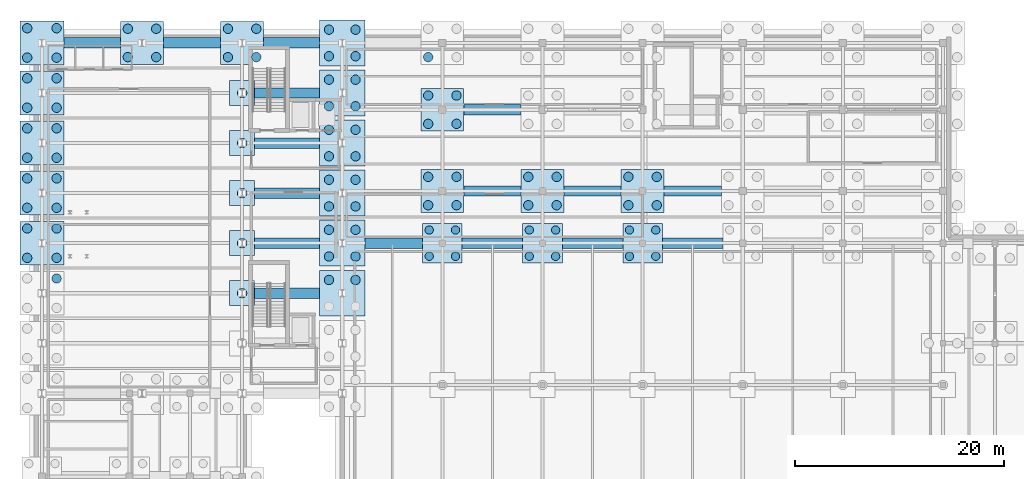
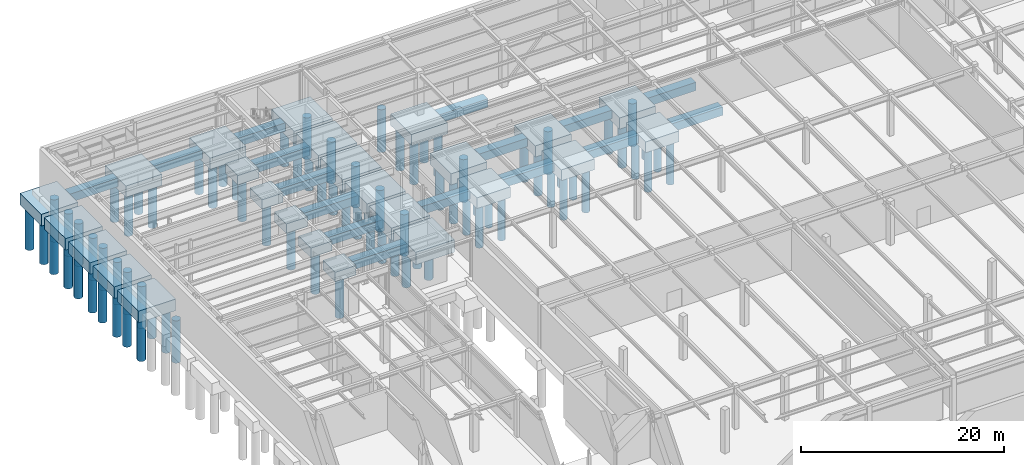
# One storey, part 4 of 33: 85 piles, 41 footings.
"""IFC4 building model written with IfcOpenShell, lengths in metres."""

from ifc_helpers import new_model, si_unit, direction, frame, origin, origin_2d, place, context, subcontext, project, spatial, polyline, rectangle, circle, outline, extrude, material, material_profile, profile_set, type_object, element, save


model = new_model("IFC4")

# Units and contexts
model_context = context("Model", 3, precision=1e-05, world=origin(), true_north=direction((0.0, 1.0)))
body_context = subcontext(model_context, "Body", "Model", "MODEL_VIEW")
ifc_project = project(units=[si_unit("LENGTHUNIT", "METRE"), si_unit("AREAUNIT", "SQUARE_METRE"), si_unit("VOLUMEUNIT", "CUBIC_METRE"), si_unit("PLANEANGLEUNIT", "RADIAN"), si_unit("MASSUNIT", "GRAM", prefix="KILO")], contexts=[model_context])

# Site, building, storey
site_placement = place(None, origin())
site = spatial("IfcSite", under=ifc_project, at=site_placement, CompositionType="ELEMENT")
building_placement = place(site_placement, origin())
building = spatial("IfcBuilding", under=site, at=building_placement, Name="Nordkorset Police Headquarters", CompositionType="ELEMENT")
storey_placement = place(building_placement, frame((0.0, 0.0, -9.800048828125)))
storey = spatial("IfcBuildingStorey", under=building, at=storey_placement, Name="B02", CompositionType="ELEMENT", Elevation=-9.800048828125)

# Piles
ifc_material_1 = material(Name="Concrete C45/55", Category="concrete")
ifc_material_profile_1 = material_profile(ifc_material_1, circle(Radius=0.39990234375, at=origin_2d()), Name="PILE D800")
ifc_profile_set_1 = profile_set([ifc_material_profile_1], Name="Concrete C45/55")
pile_type_1 = type_object("IfcPileType", Name="Bored_PILE_D800", PredefinedType="BORED", material=ifc_profile_set_1)
for number, where, z_axis, x_axis, name in (
    (1, (37.139892578125, 96.340087890625, -1.800048828125), (0.0, 0.0, -1.0), (1.0, 0.0, 0.0), "Rock-Socketed Bored Pile V2_Y0_0-1"),
    (2, (39.659912109375, 96.340087890625, -1.800048828125), (0.0, 0.0, -1.0), (1.0, 0.0, 0.0), "Rock-Socketed Bored Pile V2_Y0_0-2"),
    (3, (37.139892578125, 98.860107421875, -1.800048828125), (0.0, 0.0, -1.0), (1.0, 0.0, 0.0), "Rock-Socketed Bored Pile V2_Y0_0-3"),
    (4, (39.659912109375, 98.860107421875, -1.800048828125), (0.0, 0.0, -1.0), (1.0, 0.0, 0.0), "Rock-Socketed Bored Pile V2_Y0_0-4"),
    (5, (46.739990234375, 96.340087890625, -1.800048828125), (0.0, 0.0, -1.0), (1.0, 0.0, 0.0), "Rock-Socketed Bored Pile V2_Y0_1-1"),
    (6, (49.260009765625, 96.340087890625, -1.800048828125), (0.0, 0.0, -1.0), (1.0, 0.0, 0.0), "Rock-Socketed Bored Pile V2_Y0_1-2"),
    (7, (46.739990234375, 98.860107421875, -1.800048828125), (0.0, 0.0, -1.0), (1.0, 0.0, 0.0), "Rock-Socketed Bored Pile V2_Y0_1-3"),
    (8, (49.260009765625, 98.860107421875, -1.800048828125), (0.0, 0.0, -1.0), (1.0, 0.0, 0.0), "Rock-Socketed Bored Pile V2_Y0_1-4"),
    (9, (56.340087890625, 96.340087890625, -1.800048828125), (0.0, 0.0, -1.0), (1.0, 0.0, 0.0), "Rock-Socketed Bored Pile V2_Y0_2-1"),
    (10, (58.860107421875, 96.340087890625, -1.800048828125), (0.0, 0.0, -1.0), (1.0, 0.0, 0.0), "Rock-Socketed Bored Pile V2_Y0_2-2"),
    (11, (56.340087890625, 98.860107421875, -1.800048828125), (0.0, 0.0, -1.0), (1.0, 0.0, 0.0), "Rock-Socketed Bored Pile V2_Y0_2-3"),
    (12, (58.860107421875, 98.860107421875, -1.800048828125), (0.0, 0.0, -1.0), (1.0, 0.0, 0.0), "Rock-Socketed Bored Pile V2_Y0_2-4"),
):
    element("IfcPile", number, at=place(storey_placement, frame(where, z_axis=z_axis, x_axis=x_axis)), inside=storey, type_object=pile_type_1, Name=name, PredefinedType="BORED", context=body_context, shape_type="SweptSolid", body=[
        extrude(circle(Radius=0.39990234375, at=origin_2d()), origin(), (0.0, 0.0, 1.0), 5.199951171875),
    ])
ifc_material_2 = material(Name="Concrete C45/55", Category="concrete")
ifc_material_profile_2 = material_profile(ifc_material_2, circle(Radius=0.449951171875, at=origin_2d()), Name="PILE D900")
ifc_profile_set_2 = profile_set([ifc_material_profile_2], Name="Concrete C45/55")
pile_type_2 = type_object("IfcPileType", Name="Bored_PILE_D900", PredefinedType="BORED", material=ifc_profile_set_2)
pile_placement = place(storey_placement, frame((1.409912109375, 94.2099609375, -1.89990234375), z_axis=(0.0, 0.0, -1.0), x_axis=(1.0, 0.0, 0.0)))
element("IfcPile", 13, at=pile_placement, inside=storey, type_object=pile_type_2, Name="Rock-Socketed Bored Pile V1_W_2-4", PredefinedType="BORED", context=body_context, shape_type="SweptSolid", body=[
    extrude(circle(Radius=0.449951171875, at=origin_2d()), origin(), (0.0, 0.0, 1.0), 5.10009765625),
])
for number, where, z_axis, x_axis, name in (
    (14, (27.52490234375, 94.074951171875, -2.0), (0.0, 0.0, -1.0), (1.0, 0.0, 0.0), "Rock-Socketed Bored Pile V1_E_2-3"),
    (15, (30.074951171875, 94.074951171875, -2.0), (0.0, 0.0, -1.0), (1.0, 0.0, 0.0), "Rock-Socketed Bored Pile V1_E_2-4"),
):
    element("IfcPile", number, at=place(storey_placement, frame(where, z_axis=z_axis, x_axis=x_axis)), inside=storey, type_object=pile_type_2, Name=name, PredefinedType="BORED", context=body_context, shape_type="SweptSolid", body=[
        extrude(circle(Radius=0.449951171875, at=origin_2d()), origin(), (0.0, 0.0, 1.0), 5.0),
    ])
for number, where, z_axis, x_axis, name in (
    (16, (-1.409912109375, 96.18994140625, -1.89990234375), (0.0, 0.0, -1.0), (1.0, 0.0, 0.0), "Rock-Socketed Bored Pile V1_W_3-1"),
    (17, (1.409912109375, 96.18994140625, -1.89990234375), (0.0, 0.0, -1.0), (1.0, 0.0, 0.0), "Rock-Socketed Bored Pile V1_W_3-2"),
    (18, (-1.409912109375, 99.010009765625, -1.89990234375), (0.0, 0.0, -1.0), (1.0, 0.0, 0.0), "Rock-Socketed Bored Pile V1_W_3-3"),
    (19, (1.409912109375, 99.010009765625, -1.89990234375), (0.0, 0.0, -1.0), (1.0, 0.0, 0.0), "Rock-Socketed Bored Pile V1_W_3-4"),
):
    element("IfcPile", number, at=place(storey_placement, frame(where, z_axis=z_axis, x_axis=x_axis)), inside=storey, type_object=pile_type_2, Name=name, PredefinedType="BORED", context=body_context, shape_type="SweptSolid", body=[
        extrude(circle(Radius=0.449951171875, at=origin_2d()), origin(), (0.0, 0.0, 1.0), 5.10009765625),
    ])
for number, where, z_axis, x_axis, name in (
    (20, (27.52490234375, 96.324951171875, -2.0), (0.0, 0.0, -1.0), (1.0, 0.0, 0.0), "Rock-Socketed Bored Pile V1_E_3-1"),
    (21, (30.074951171875, 96.324951171875, -2.0), (0.0, 0.0, -1.0), (1.0, 0.0, 0.0), "Rock-Socketed Bored Pile V1_E_3-2"),
    (22, (27.52490234375, 98.875, -2.0), (0.0, 0.0, -1.0), (1.0, 0.0, 0.0), "Rock-Socketed Bored Pile V1_E_3-3"),
    (23, (30.074951171875, 98.875, -2.0), (0.0, 0.0, -1.0), (1.0, 0.0, 0.0), "Rock-Socketed Bored Pile V1_E_3-4"),
):
    element("IfcPile", number, at=place(storey_placement, frame(where, z_axis=z_axis, x_axis=x_axis)), inside=storey, type_object=pile_type_2, Name=name, PredefinedType="BORED", context=body_context, shape_type="SweptSolid", body=[
        extrude(circle(Radius=0.449951171875, at=origin_2d()), origin(), (0.0, 0.0, 1.0), 5.0),
    ])
for number, where, z_axis, x_axis, name in (
    (24, (-1.409912109375, 100.989990234375, -1.89990234375), (0.0, 0.0, -1.0), (1.0, 0.0, 0.0), "Rock-Socketed Bored Pile V1_W_4-1"),
    (25, (1.409912109375, 100.989990234375, -1.89990234375), (0.0, 0.0, -1.0), (1.0, 0.0, 0.0), "Rock-Socketed Bored Pile V1_W_4-2"),
    (26, (-1.409912109375, 103.81005859375, -1.89990234375), (0.0, 0.0, -1.0), (1.0, 0.0, 0.0), "Rock-Socketed Bored Pile V1_W_4-3"),
    (27, (1.409912109375, 103.81005859375, -1.89990234375), (0.0, 0.0, -1.0), (1.0, 0.0, 0.0), "Rock-Socketed Bored Pile V1_W_4-4"),
):
    element("IfcPile", number, at=place(storey_placement, frame(where, z_axis=z_axis, x_axis=x_axis)), inside=storey, type_object=pile_type_2, Name=name, PredefinedType="BORED", context=body_context, shape_type="SweptSolid", body=[
        extrude(circle(Radius=0.449951171875, at=origin_2d()), origin(), (0.0, 0.0, 1.0), 5.10009765625),
    ])
for number, where, z_axis, x_axis, name in (
    (28, (27.52490234375, 101.125, -2.0), (0.0, 0.0, -1.0), (1.0, 0.0, 0.0), "Rock-Socketed Bored Pile V1_E_4-1"),
    (29, (30.074951171875, 101.125, -2.0), (0.0, 0.0, -1.0), (1.0, 0.0, 0.0), "Rock-Socketed Bored Pile V1_E_4-2"),
    (30, (27.52490234375, 103.675048828125, -2.0), (0.0, 0.0, -1.0), (1.0, 0.0, 0.0), "Rock-Socketed Bored Pile V1_E_4-3"),
    (31, (30.074951171875, 103.675048828125, -2.0), (0.0, 0.0, -1.0), (1.0, 0.0, 0.0), "Rock-Socketed Bored Pile V1_E_4-4"),
):
    element("IfcPile", number, at=place(storey_placement, frame(where, z_axis=z_axis, x_axis=x_axis)), inside=storey, type_object=pile_type_2, Name=name, PredefinedType="BORED", context=body_context, shape_type="SweptSolid", body=[
        extrude(circle(Radius=0.449951171875, at=origin_2d()), origin(), (0.0, 0.0, 1.0), 5.0),
    ])
for number, where, z_axis, x_axis, name in (
    (32, (-1.409912109375, 105.7900390625, -1.89990234375), (0.0, 0.0, -1.0), (1.0, 0.0, 0.0), "Rock-Socketed Bored Pile V1_W_5-1"),
    (33, (1.409912109375, 105.7900390625, -1.89990234375), (0.0, 0.0, -1.0), (1.0, 0.0, 0.0), "Rock-Socketed Bored Pile V1_W_5-2"),
    (34, (-1.409912109375, 108.610107421875, -1.89990234375), (0.0, 0.0, -1.0), (1.0, 0.0, 0.0), "Rock-Socketed Bored Pile V1_W_5-3"),
    (35, (1.409912109375, 108.610107421875, -1.89990234375), (0.0, 0.0, -1.0), (1.0, 0.0, 0.0), "Rock-Socketed Bored Pile V1_W_5-4"),
):
    element("IfcPile", number, at=place(storey_placement, frame(where, z_axis=z_axis, x_axis=x_axis)), inside=storey, type_object=pile_type_2, Name=name, PredefinedType="BORED", context=body_context, shape_type="SweptSolid", body=[
        extrude(circle(Radius=0.449951171875, at=origin_2d()), origin(), (0.0, 0.0, 1.0), 5.10009765625),
    ])
for number, where, z_axis, x_axis, name in (
    (36, (27.52490234375, 105.925048828125, -2.0), (0.0, 0.0, -1.0), (1.0, 0.0, 0.0), "Rock-Socketed Bored Pile V1_E_5-1"),
    (37, (30.074951171875, 105.925048828125, -2.0), (0.0, 0.0, -1.0), (1.0, 0.0, 0.0), "Rock-Socketed Bored Pile V1_E_5-2"),
    (38, (27.52490234375, 108.47509765625, -2.0), (0.0, 0.0, -1.0), (1.0, 0.0, 0.0), "Rock-Socketed Bored Pile V1_E_5-3"),
    (39, (30.074951171875, 108.47509765625, -2.0), (0.0, 0.0, -1.0), (1.0, 0.0, 0.0), "Rock-Socketed Bored Pile V1_E_5-4"),
):
    element("IfcPile", number, at=place(storey_placement, frame(where, z_axis=z_axis, x_axis=x_axis)), inside=storey, type_object=pile_type_2, Name=name, PredefinedType="BORED", context=body_context, shape_type="SweptSolid", body=[
        extrude(circle(Radius=0.449951171875, at=origin_2d()), origin(), (0.0, 0.0, 1.0), 5.0),
    ])
for number, where, z_axis, x_axis, name in (
    (40, (-1.409912109375, 110.590087890625, -1.89990234375), (0.0, 0.0, -1.0), (1.0, 0.0, 0.0), "Rock-Socketed Bored Pile V1_W_6-1"),
    (41, (1.409912109375, 110.590087890625, -1.89990234375), (0.0, 0.0, -1.0), (1.0, 0.0, 0.0), "Rock-Socketed Bored Pile V1_W_6-2"),
    (42, (-1.409912109375, 113.409912109375, -1.89990234375), (0.0, 0.0, -1.0), (1.0, 0.0, 0.0), "Rock-Socketed Bored Pile V1_W_6-3"),
    (43, (1.409912109375, 113.409912109375, -1.89990234375), (0.0, 0.0, -1.0), (1.0, 0.0, 0.0), "Rock-Socketed Bored Pile V1_W_6-4"),
):
    element("IfcPile", number, at=place(storey_placement, frame(where, z_axis=z_axis, x_axis=x_axis)), inside=storey, type_object=pile_type_2, Name=name, PredefinedType="BORED", context=body_context, shape_type="SweptSolid", body=[
        extrude(circle(Radius=0.449951171875, at=origin_2d()), origin(), (0.0, 0.0, 1.0), 5.10009765625),
    ])
for number, where, z_axis, x_axis, name in (
    (44, (27.52490234375, 110.72509765625, -2.0), (0.0, 0.0, -1.0), (1.0, 0.0, 0.0), "Rock-Socketed Bored Pile V1_E_6-1"),
    (45, (30.074951171875, 110.72509765625, -2.0), (0.0, 0.0, -1.0), (1.0, 0.0, 0.0), "Rock-Socketed Bored Pile V1_E_6-2"),
    (46, (27.52490234375, 113.27490234375, -2.0), (0.0, 0.0, -1.0), (1.0, 0.0, 0.0), "Rock-Socketed Bored Pile V1_E_6-3"),
    (47, (30.074951171875, 113.27490234375, -2.0), (0.0, 0.0, -1.0), (1.0, 0.0, 0.0), "Rock-Socketed Bored Pile V1_E_6-4"),
):
    element("IfcPile", number, at=place(storey_placement, frame(where, z_axis=z_axis, x_axis=x_axis)), inside=storey, type_object=pile_type_2, Name=name, PredefinedType="BORED", context=body_context, shape_type="SweptSolid", body=[
        extrude(circle(Radius=0.449951171875, at=origin_2d()), origin(), (0.0, 0.0, 1.0), 5.0),
    ])
for number, where, z_axis, x_axis, name in (
    (48, (-1.409912109375, 115.389892578125, -1.89990234375), (0.0, 0.0, -1.0), (1.0, 0.0, 0.0), "Rock-Socketed Bored Pile V1_W_7-1"),
    (49, (1.409912109375, 115.389892578125, -1.89990234375), (0.0, 0.0, -1.0), (1.0, 0.0, 0.0), "Rock-Socketed Bored Pile V1_W_7-2"),
    (50, (-1.409912109375, 118.2099609375, -1.89990234375), (0.0, 0.0, -1.0), (1.0, 0.0, 0.0), "Rock-Socketed Bored Pile V1_W_7-3"),
    (51, (1.409912109375, 118.2099609375, -1.89990234375), (0.0, 0.0, -1.0), (1.0, 0.0, 0.0), "Rock-Socketed Bored Pile V1_W_7-4"),
):
    element("IfcPile", number, at=place(storey_placement, frame(where, z_axis=z_axis, x_axis=x_axis)), inside=storey, type_object=pile_type_2, Name=name, PredefinedType="BORED", context=body_context, shape_type="SweptSolid", body=[
        extrude(circle(Radius=0.449951171875, at=origin_2d()), origin(), (0.0, 0.0, 1.0), 5.10009765625),
    ])
for number, where, z_axis, x_axis, name in (
    (52, (27.52490234375, 115.52490234375, -2.0), (0.0, 0.0, -1.0), (1.0, 0.0, 0.0), "Rock-Socketed Bored Pile V1_E_7-1"),
    (53, (30.074951171875, 115.52490234375, -2.0), (0.0, 0.0, -1.0), (1.0, 0.0, 0.0), "Rock-Socketed Bored Pile V1_E_7-2"),
    (54, (27.52490234375, 118.074951171875, -2.0), (0.0, 0.0, -1.0), (1.0, 0.0, 0.0), "Rock-Socketed Bored Pile V1_E_7-3"),
    (55, (30.074951171875, 118.074951171875, -2.0), (0.0, 0.0, -1.0), (1.0, 0.0, 0.0), "Rock-Socketed Bored Pile V1_E_7-4"),
):
    element("IfcPile", number, at=place(storey_placement, frame(where, z_axis=z_axis, x_axis=x_axis)), inside=storey, type_object=pile_type_2, Name=name, PredefinedType="BORED", context=body_context, shape_type="SweptSolid", body=[
        extrude(circle(Radius=0.449951171875, at=origin_2d()), origin(), (0.0, 0.0, 1.0), 5.0),
    ])
for number, where, z_axis, x_axis, name in (
    (56, (8.239990234375, 115.43994140625, -1.849853515625), (0.0, 0.0, -1.0), (1.0, 0.0, 0.0), "Rock-Socketed Bored Pile V1_N_0-1"),
    (57, (10.9599609375, 115.43994140625, -1.849853515625), (0.0, 0.0, -1.0), (1.0, 0.0, 0.0), "Rock-Socketed Bored Pile V1_N_0-2"),
    (58, (8.239990234375, 118.159912109375, -1.849853515625), (0.0, 0.0, -1.0), (1.0, 0.0, 0.0), "Rock-Socketed Bored Pile V1_N_0-3"),
    (59, (10.9599609375, 118.159912109375, -1.849853515625), (0.0, 0.0, -1.0), (1.0, 0.0, 0.0), "Rock-Socketed Bored Pile V1_N_0-4"),
    (60, (17.840087890625, 115.43994140625, -1.849853515625), (0.0, 0.0, -1.0), (1.0, 0.0, 0.0), "Rock-Socketed Bored Pile V1_N_1-1"),
    (61, (20.56005859375, 115.43994140625, -1.849853515625), (0.0, 0.0, -1.0), (1.0, 0.0, 0.0), "Rock-Socketed Bored Pile V1_N_1-2"),
    (62, (17.840087890625, 118.159912109375, -1.849853515625), (0.0, 0.0, -1.0), (1.0, 0.0, 0.0), "Rock-Socketed Bored Pile V1_N_1-3"),
    (63, (20.56005859375, 118.159912109375, -1.849853515625), (0.0, 0.0, -1.0), (1.0, 0.0, 0.0), "Rock-Socketed Bored Pile V1_N_1-4"),
):
    element("IfcPile", number, at=place(storey_placement, frame(where, z_axis=z_axis, x_axis=x_axis)), inside=storey, type_object=pile_type_2, Name=name, PredefinedType="BORED", context=body_context, shape_type="SweptSolid", body=[
        extrude(circle(Radius=0.449951171875, at=origin_2d()), origin(), (0.0, 0.0, 1.0), 5.14990234375),
    ])
for number, where, z_axis, x_axis, name in (
    (64, (19.199951171875, 92.800048828125, -1.64990234375), (0.0, 0.0, -1.0), (1.0, 0.0, 0.0), "Rock-Socketed Bored Pile V1_CW_1-1"),
    (65, (19.199951171875, 97.60009765625, -1.64990234375), (0.0, 0.0, -1.0), (1.0, 0.0, 0.0), "Rock-Socketed Bored Pile V1_CW_2-1"),
    (66, (19.199951171875, 102.39990234375, -1.64990234375), (0.0, 0.0, -1.0), (1.0, 0.0, 0.0), "Rock-Socketed Bored Pile V1_CW_3-1"),
    (67, (19.199951171875, 107.199951171875, -1.64990234375), (0.0, 0.0, -1.0), (1.0, 0.0, 0.0), "Rock-Socketed Bored Pile V1_CW_4-1"),
    (68, (19.199951171875, 112.0, -1.64990234375), (0.0, 0.0, -1.0), (1.0, 0.0, 0.0), "Rock-Socketed Bored Pile V1_CW_5-1"),
):
    element("IfcPile", number, at=place(storey_placement, frame(where, z_axis=z_axis, x_axis=x_axis)), inside=storey, type_object=pile_type_2, Name=name, PredefinedType="BORED", context=body_context, shape_type="SweptSolid", body=[
        extrude(circle(Radius=0.449951171875, at=origin_2d()), origin(), (0.0, 0.0, 1.0), 5.35009765625),
    ])
for number, where, z_axis, x_axis, name in (
    (69, (37.0400390625, 101.239990234375, -1.849853515625), (0.0, 0.0, -1.0), (1.0, 0.0, 0.0), "Rock-Socketed Bored Pile V2_Y1_0-1"),
    (70, (39.760009765625, 101.239990234375, -1.849853515625), (0.0, 0.0, -1.0), (1.0, 0.0, 0.0), "Rock-Socketed Bored Pile V2_Y1_0-2"),
    (71, (37.0400390625, 103.9599609375, -1.849853515625), (0.0, 0.0, -1.0), (1.0, 0.0, 0.0), "Rock-Socketed Bored Pile V2_Y1_0-3"),
    (72, (39.760009765625, 103.9599609375, -1.849853515625), (0.0, 0.0, -1.0), (1.0, 0.0, 0.0), "Rock-Socketed Bored Pile V2_Y1_0-4"),
    (73, (37.0400390625, 109.0400390625, -1.849853515625), (0.0, 0.0, -1.0), (1.0, 0.0, 0.0), "Rock-Socketed Bored Pile V2_Y2_0-1"),
    (74, (39.760009765625, 109.0400390625, -1.849853515625), (0.0, 0.0, -1.0), (1.0, 0.0, 0.0), "Rock-Socketed Bored Pile V2_Y2_0-2"),
    (75, (37.0400390625, 111.760009765625, -1.849853515625), (0.0, 0.0, -1.0), (1.0, 0.0, 0.0), "Rock-Socketed Bored Pile V2_Y2_0-3"),
    (76, (39.760009765625, 111.760009765625, -1.849853515625), (0.0, 0.0, -1.0), (1.0, 0.0, 0.0), "Rock-Socketed Bored Pile V2_Y2_0-4"),
    (77, (37.0400390625, 115.43994140625, -1.849853515625), (0.0, 0.0, -1.0), (1.0, 0.0, 0.0), "Rock-Socketed Bored Pile V2_Y3_0-1"),
    (78, (46.639892578125, 101.239990234375, -1.849853515625), (0.0, 0.0, -1.0), (1.0, 0.0, 0.0), "Rock-Socketed Bored Pile V2_Y1_1-1"),
    (79, (49.360107421875, 101.239990234375, -1.849853515625), (0.0, 0.0, -1.0), (1.0, 0.0, 0.0), "Rock-Socketed Bored Pile V2_Y1_1-2"),
    (80, (46.639892578125, 103.9599609375, -1.849853515625), (0.0, 0.0, -1.0), (1.0, 0.0, 0.0), "Rock-Socketed Bored Pile V2_Y1_1-3"),
    (81, (49.360107421875, 103.9599609375, -1.849853515625), (0.0, 0.0, -1.0), (1.0, 0.0, 0.0), "Rock-Socketed Bored Pile V2_Y1_1-4"),
    (82, (56.239990234375, 101.239990234375, -1.849853515625), (0.0, 0.0, -1.0), (1.0, 0.0, 0.0), "Rock-Socketed Bored Pile V2_Y1_2-1"),
    (83, (58.9599609375, 101.239990234375, -1.849853515625), (0.0, 0.0, -1.0), (1.0, 0.0, 0.0), "Rock-Socketed Bored Pile V2_Y1_2-2"),
    (84, (56.239990234375, 103.9599609375, -1.849853515625), (0.0, 0.0, -1.0), (1.0, 0.0, 0.0), "Rock-Socketed Bored Pile V2_Y1_2-3"),
    (85, (58.9599609375, 103.9599609375, -1.849853515625), (0.0, 0.0, -1.0), (1.0, 0.0, 0.0), "Rock-Socketed Bored Pile V2_Y1_2-4"),
):
    element("IfcPile", number, at=place(storey_placement, frame(where, z_axis=z_axis, x_axis=x_axis)), inside=storey, type_object=pile_type_2, Name=name, PredefinedType="BORED", context=body_context, shape_type="SweptSolid", body=[
        extrude(circle(Radius=0.449951171875, at=origin_2d()), origin(), (0.0, 0.0, 1.0), 5.14990234375),
    ])

# Footings
ifc_material_3 = material(Name="Concrete C35/45", Category="concrete")
footing_type_1 = type_object("IfcFootingType", Name="Cap_2400x2400x1150", PredefinedType="PILE_CAP", material=ifc_material_3)
for number, where, z_axis, x_axis, name in (
    (86, (19.199951171875, 92.800048828125, -1.75), (0.0, 0.0, 1.0), (1.0, 0.0, 0.0), "Reinforced Concrete Pile Cap V1_CW_1"),
    (87, (19.199951171875, 97.60009765625, -1.75), (0.0, 0.0, 1.0), (1.0, 0.0, 0.0), "Reinforced Concrete Pile Cap V1_CW_2"),
    (88, (19.199951171875, 102.39990234375, -1.75), (0.0, 0.0, 1.0), (1.0, 0.0, 0.0), "Reinforced Concrete Pile Cap V1_CW_3"),
    (89, (19.199951171875, 107.199951171875, -1.75), (0.0, 0.0, 1.0), (1.0, 0.0, 0.0), "Reinforced Concrete Pile Cap V1_CW_4"),
    (90, (19.199951171875, 112.0, -1.75), (0.0, 0.0, 1.0), (1.0, 0.0, 0.0), "Reinforced Concrete Pile Cap V1_CW_5"),
):
    element("IfcFooting", number, at=place(storey_placement, frame(where, z_axis=z_axis, x_axis=x_axis)), inside=storey, type_object=footing_type_1, Name=name, PredefinedType="PILE_CAP", context=body_context, shape_type="SweptSolid", body=[
        extrude(rectangle(XDim=2.39990234375, YDim=2.39990234375, at=origin_2d()), origin(), (0.0, 0.0, 1.0), 1.14990234375),
    ])
ifc_material_4 = material(Name="Concrete C35/45", Category="concrete")
footing_type_2 = type_object("IfcFootingType", Name="Cap_3800x3800x1300", PredefinedType="PILE_CAP", material=ifc_material_4)
for number, where, z_axis, x_axis, name in (
    (91, (38.39990234375, 97.60009765625, -1.89990234375), (0.0, 0.0, 1.0), (1.0, 0.0, 0.0), "Reinforced Concrete Pile Cap V2_Y0_0"),
    (92, (48.0, 97.60009765625, -1.89990234375), (0.0, 0.0, 1.0), (1.0, 0.0, 0.0), "Reinforced Concrete Pile Cap V2_Y0_1"),
    (93, (57.60009765625, 97.60009765625, -1.89990234375), (0.0, 0.0, 1.0), (1.0, 0.0, 0.0), "Reinforced Concrete Pile Cap V2_Y0_2"),
):
    element("IfcFooting", number, at=place(storey_placement, frame(where, z_axis=z_axis, x_axis=x_axis)), inside=storey, type_object=footing_type_2, Name=name, PredefinedType="PILE_CAP", context=body_context, shape_type="SweptSolid", body=[
        extrude(rectangle(XDim=3.800048828125, YDim=3.800048828125, at=origin_2d()), origin(), (0.0, 0.0, 1.0), 1.300048828125),
    ])
ifc_material_5 = material(Name="Concrete C35/45", Category="concrete")
footing_type_3 = type_object("IfcFootingType", Name="Cap_3900x3900x1350", PredefinedType="PILE_CAP", material=ifc_material_5)
for number, where, z_axis, x_axis, name in (
    (94, (9.60009765625, 116.800048828125, -1.949951171875), (0.0, 0.0, 1.0), (1.0, 0.0, 0.0), "Reinforced Concrete Pile Cap V1_N_0"),
    (95, (19.199951171875, 116.800048828125, -1.949951171875), (0.0, 0.0, 1.0), (1.0, 0.0, 0.0), "Reinforced Concrete Pile Cap V1_N_1"),
    (96, (38.39990234375, 102.60009765625, -1.949951171875), (0.0, 0.0, 1.0), (1.0, 0.0, 0.0), "Reinforced Concrete Pile Cap V2_Y1_0"),
    (97, (38.39990234375, 110.39990234375, -1.949951171875), (0.0, 0.0, 1.0), (1.0, 0.0, 0.0), "Reinforced Concrete Pile Cap V2_Y2_0"),
    (98, (48.0, 102.60009765625, -1.949951171875), (0.0, 0.0, 1.0), (1.0, 0.0, 0.0), "Reinforced Concrete Pile Cap V2_Y1_1"),
    (99, (57.60009765625, 102.60009765625, -1.949951171875), (0.0, 0.0, 1.0), (1.0, 0.0, 0.0), "Reinforced Concrete Pile Cap V2_Y1_2"),
):
    element("IfcFooting", number, at=place(storey_placement, frame(where, z_axis=z_axis, x_axis=x_axis)), inside=storey, type_object=footing_type_3, Name=name, PredefinedType="PILE_CAP", context=body_context, shape_type="SweptSolid", body=[
        extrude(rectangle(XDim=4.10009765625, YDim=4.10009765625, at=origin_2d()), origin(), (0.0, 0.0, 1.0), 1.35009765625),
    ])
ifc_material_6 = material(Name="Concrete C35/45", Category="concrete")
footing_type_4 = type_object("IfcFootingType", Name="Cap_4200x4200x1400", PredefinedType="PILE_CAP", material=ifc_material_6)
for number, where, z_axis, x_axis, name in (
    (100, (0.0, 97.60009765625, -2.0), (0.0, 0.0, 1.0), (1.0, 0.0, 0.0), "Reinforced Concrete Pile Cap V1_W_3"),
    (101, (0.0, 102.39990234375, -2.0), (0.0, 0.0, 1.0), (1.0, 0.0, 0.0), "Reinforced Concrete Pile Cap V1_W_4"),
    (102, (0.0, 107.199951171875, -2.0), (0.0, 0.0, 1.0), (1.0, 0.0, 0.0), "Reinforced Concrete Pile Cap V1_W_5"),
    (103, (0.0, 112.0, -2.0), (0.0, 0.0, 1.0), (1.0, 0.0, 0.0), "Reinforced Concrete Pile Cap V1_W_6"),
    (104, (0.0, 116.800048828125, -2.0), (0.0, 0.0, 1.0), (1.0, 0.0, 0.0), "Reinforced Concrete Pile Cap V1_W_7"),
):
    element("IfcFooting", number, at=place(storey_placement, frame(where, z_axis=z_axis, x_axis=x_axis)), inside=storey, type_object=footing_type_4, Name=name, PredefinedType="PILE_CAP", context=body_context, shape_type="SweptSolid", body=[
        extrude(rectangle(XDim=4.199951171875, YDim=4.199951171875, at=origin_2d()), origin(), (0.0, 0.0, 1.0), 1.39990234375),
    ])
ifc_material_7 = material(Name="Concrete C35/45", Category="concrete")
footing_type_5 = type_object("IfcFootingType", Name="Cap_4400x4400x1500", PredefinedType="PILE_CAP", material=ifc_material_7)
for number, where, z_axis, x_axis, name in (
    (105, (28.800048828125, 92.800048828125, -2.099853515625), (0.0, 0.0, 1.0), (1.0, 0.0, 0.0), "Reinforced Concrete Pile Cap V1_E_2"),
    (106, (28.800048828125, 97.60009765625, -2.099853515625), (0.0, 0.0, 1.0), (1.0, 0.0, 0.0), "Reinforced Concrete Pile Cap V1_E_3"),
    (107, (28.800048828125, 102.39990234375, -2.099853515625), (0.0, 0.0, 1.0), (1.0, 0.0, 0.0), "Reinforced Concrete Pile Cap V1_E_4"),
    (108, (28.800048828125, 107.199951171875, -2.099853515625), (0.0, 0.0, 1.0), (1.0, 0.0, 0.0), "Reinforced Concrete Pile Cap V1_E_5"),
    (109, (28.800048828125, 112.0, -2.099853515625), (0.0, 0.0, 1.0), (1.0, 0.0, 0.0), "Reinforced Concrete Pile Cap V1_E_6"),
    (110, (28.800048828125, 116.800048828125, -2.099853515625), (0.0, 0.0, 1.0), (1.0, 0.0, 0.0), "Reinforced Concrete Pile Cap V1_E_7"),
):
    element("IfcFooting", number, at=place(storey_placement, frame(where, z_axis=z_axis, x_axis=x_axis)), inside=storey, type_object=footing_type_5, Name=name, PredefinedType="PILE_CAP", context=body_context, shape_type="SweptSolid", body=[
        extrude(rectangle(XDim=4.39990234375, YDim=4.39990234375, at=origin_2d()), origin(), (0.0, 0.0, 1.0), 1.5),
    ])
ifc_material_8 = material(Name="Concrete C35/45", Category="concrete")
footing_type_6 = type_object("IfcFootingType", Name="Strip_1000x1000", PredefinedType="STRIP_FOOTING", material=ifc_material_8)
footing_1_placement = place(storey_placement, frame((0.0, 0.0, -1.599853515625)))
element("IfcFooting", 111, at=footing_1_placement, inside=storey, type_object=footing_type_6, Name="Foundation Tie Strip Footing X-099", PredefinedType="STRIP_FOOTING", context=body_context, shape_type="SweptSolid", body=[
    extrude(outline(polyline([(20.403076171875, 92.300048828125), (26.596923828125, 92.300048828125), (26.596923828125, 93.300048828125), (20.403076171875, 93.300048828125), (20.403076171875, 92.300048828125)])), origin(), (0.0, 0.0, 1.0), 1.0),
])
footing_2_placement = place(storey_placement, frame((0.0, 0.0, -1.599853515625)))
element("IfcFooting", 112, at=footing_2_placement, inside=storey, type_object=footing_type_6, Name="Foundation Tie Strip Footing X-100", PredefinedType="STRIP_FOOTING", context=body_context, shape_type="SweptSolid", body=[
    extrude(outline(polyline([(20.403076171875, 97.10009765625), (26.596923828125, 97.10009765625), (26.596923828125, 98.10009765625), (20.403076171875, 98.10009765625), (20.403076171875, 97.10009765625)])), origin(), (0.0, 0.0, 1.0), 1.0),
])
footing_3_placement = place(storey_placement, frame((0.0, 0.0, -1.599853515625)))
element("IfcFooting", 113, at=footing_3_placement, inside=storey, type_object=footing_type_6, Name="Foundation Tie Strip Footing X-101", PredefinedType="STRIP_FOOTING", context=body_context, shape_type="SweptSolid", body=[
    extrude(outline(polyline([(31.0029296875, 97.10009765625), (36.4970703125, 97.10009765625), (36.4970703125, 98.10009765625), (31.0029296875, 98.10009765625), (31.0029296875, 97.10009765625)])), origin(), (0.0, 0.0, 1.0), 1.0),
])
footing_4_placement = place(storey_placement, frame((0.0, 0.0, -1.599853515625)))
element("IfcFooting", 114, at=footing_4_placement, inside=storey, type_object=footing_type_6, Name="Foundation Tie Strip Footing X-102", PredefinedType="STRIP_FOOTING", context=body_context, shape_type="SweptSolid", body=[
    extrude(outline(polyline([(40.302978515625, 97.10009765625), (46.096923828125, 97.10009765625), (46.096923828125, 98.10009765625), (40.302978515625, 98.10009765625), (40.302978515625, 97.10009765625)])), origin(), (0.0, 0.0, 1.0), 1.0),
])
footing_5_placement = place(storey_placement, frame((0.0, 0.0, -1.599853515625)))
element("IfcFooting", 115, at=footing_5_placement, inside=storey, type_object=footing_type_6, Name="Foundation Tie Strip Footing X-103", PredefinedType="STRIP_FOOTING", context=body_context, shape_type="SweptSolid", body=[
    extrude(outline(polyline([(49.903076171875, 97.10009765625), (55.697021484375, 97.10009765625), (55.697021484375, 98.10009765625), (49.903076171875, 98.10009765625), (49.903076171875, 97.10009765625)])), origin(), (0.0, 0.0, 1.0), 1.0),
])
footing_6_placement = place(storey_placement, frame((0.0, 0.0, -1.599853515625)))
element("IfcFooting", 116, at=footing_6_placement, inside=storey, type_object=footing_type_6, Name="Foundation Tie Strip Footing X-104", PredefinedType="STRIP_FOOTING", context=body_context, shape_type="SweptSolid", body=[
    extrude(outline(polyline([(59.5029296875, 97.10009765625), (65.297119140625, 97.10009765625), (65.297119140625, 98.10009765625), (59.5029296875, 98.10009765625), (59.5029296875, 97.10009765625)])), origin(), (0.0, 0.0, 1.0), 1.0),
])
footing_7_placement = place(storey_placement, frame((0.0, 0.0, -1.599853515625)))
element("IfcFooting", 117, at=footing_7_placement, inside=storey, type_object=footing_type_6, Name="Foundation Tie Strip Footing X-108", PredefinedType="STRIP_FOOTING", context=body_context, shape_type="SweptSolid", body=[
    extrude(outline(polyline([(20.403076171875, 101.89990234375), (26.596923828125, 101.89990234375), (26.596923828125, 102.89990234375), (20.403076171875, 102.89990234375), (20.403076171875, 101.89990234375)])), origin(), (0.0, 0.0, 1.0), 1.0),
])
footing_8_placement = place(storey_placement, frame((0.0, 0.0, -1.599853515625)))
element("IfcFooting", 118, at=footing_8_placement, inside=storey, type_object=footing_type_6, Name="Foundation Tie Strip Footing X-109", PredefinedType="STRIP_FOOTING", context=body_context, shape_type="SweptSolid", body=[
    extrude(outline(polyline([(40.452880859375, 102.10009765625), (45.947021484375, 102.10009765625), (45.947021484375, 103.10009765625), (40.452880859375, 103.10009765625), (40.452880859375, 102.10009765625)])), origin(), (0.0, 0.0, 1.0), 1.0),
])
footing_9_placement = place(storey_placement, frame((0.0, 0.0, -1.599853515625)))
element("IfcFooting", 119, at=footing_9_placement, inside=storey, type_object=footing_type_6, Name="Foundation Tie Strip Footing X-110", PredefinedType="STRIP_FOOTING", context=body_context, shape_type="SweptSolid", body=[
    extrude(outline(polyline([(50.052978515625, 102.10009765625), (55.547119140625, 102.10009765625), (55.547119140625, 103.10009765625), (50.052978515625, 103.10009765625), (50.052978515625, 102.10009765625)])), origin(), (0.0, 0.0, 1.0), 1.0),
])
footing_10_placement = place(storey_placement, frame((0.0, 0.0, -1.599853515625)))
element("IfcFooting", 120, at=footing_10_placement, inside=storey, type_object=footing_type_6, Name="Foundation Tie Strip Footing X-111", PredefinedType="STRIP_FOOTING", context=body_context, shape_type="SweptSolid", body=[
    extrude(outline(polyline([(59.653076171875, 102.10009765625), (65.14697265625, 102.10009765625), (65.14697265625, 103.10009765625), (59.653076171875, 103.10009765625), (59.653076171875, 102.10009765625)])), origin(), (0.0, 0.0, 1.0), 1.0),
])
footing_11_placement = place(storey_placement, frame((0.0, 0.0, -1.599853515625)))
element("IfcFooting", 121, at=footing_11_placement, inside=storey, type_object=footing_type_6, Name="Foundation Tie Strip Footing X-114", PredefinedType="STRIP_FOOTING", context=body_context, shape_type="SweptSolid", body=[
    extrude(outline(polyline([(20.403076171875, 106.699951171875), (26.596923828125, 106.699951171875), (26.596923828125, 107.699951171875), (20.403076171875, 107.699951171875), (20.403076171875, 106.699951171875)])), origin(), (0.0, 0.0, 1.0), 1.0),
])
footing_12_placement = place(storey_placement, frame((0.0, 0.0, -1.599853515625)))
element("IfcFooting", 122, at=footing_12_placement, inside=storey, type_object=footing_type_6, Name="Foundation Tie Strip Footing X-115", PredefinedType="STRIP_FOOTING", context=body_context, shape_type="SweptSolid", body=[
    extrude(outline(polyline([(40.452880859375, 109.89990234375), (45.947021484375, 109.89990234375), (45.947021484375, 110.89990234375), (40.452880859375, 110.89990234375), (40.452880859375, 109.89990234375)])), origin(), (0.0, 0.0, 1.0), 1.0),
])
footing_13_placement = place(storey_placement, frame((0.0, 0.0, -1.599853515625)))
element("IfcFooting", 123, at=footing_13_placement, inside=storey, type_object=footing_type_6, Name="Foundation Tie Strip Footing X-120", PredefinedType="STRIP_FOOTING", context=body_context, shape_type="SweptSolid", body=[
    extrude(outline(polyline([(20.403076171875, 111.5), (26.596923828125, 111.5), (26.596923828125, 112.5), (20.403076171875, 112.5), (20.403076171875, 111.5)])), origin(), (0.0, 0.0, 1.0), 1.0),
])
footing_14_placement = place(storey_placement, frame((0.0, 0.0, -1.599853515625)))
element("IfcFooting", 124, at=footing_14_placement, inside=storey, type_object=footing_type_6, Name="Foundation Tie Strip Footing X-121", PredefinedType="STRIP_FOOTING", context=body_context, shape_type="SweptSolid", body=[
    extrude(outline(polyline([(2.10302734375, 116.300048828125), (7.547119140625, 116.300048828125), (7.547119140625, 117.300048828125), (2.10302734375, 117.300048828125), (2.10302734375, 116.300048828125)])), origin(), (0.0, 0.0, 1.0), 1.0),
])
footing_15_placement = place(storey_placement, frame((0.0, 0.0, -1.599853515625)))
element("IfcFooting", 125, at=footing_15_placement, inside=storey, type_object=footing_type_6, Name="Foundation Tie Strip Footing X-122", PredefinedType="STRIP_FOOTING", context=body_context, shape_type="SweptSolid", body=[
    extrude(outline(polyline([(11.653076171875, 116.300048828125), (17.14697265625, 116.300048828125), (17.14697265625, 117.300048828125), (11.653076171875, 117.300048828125), (11.653076171875, 116.300048828125)])), origin(), (0.0, 0.0, 1.0), 1.0),
])
footing_16_placement = place(storey_placement, frame((0.0, 0.0, -1.599853515625)))
element("IfcFooting", 126, at=footing_16_placement, inside=storey, type_object=footing_type_6, Name="Foundation Tie Strip Footing X-123", PredefinedType="STRIP_FOOTING", context=body_context, shape_type="SweptSolid", body=[
    extrude(outline(polyline([(21.2529296875, 116.300048828125), (26.596923828125, 116.300048828125), (26.596923828125, 117.300048828125), (21.2529296875, 117.300048828125), (21.2529296875, 116.300048828125)])), origin(), (0.0, 0.0, 1.0), 1.0),
])

save(model, "model.ifc")
